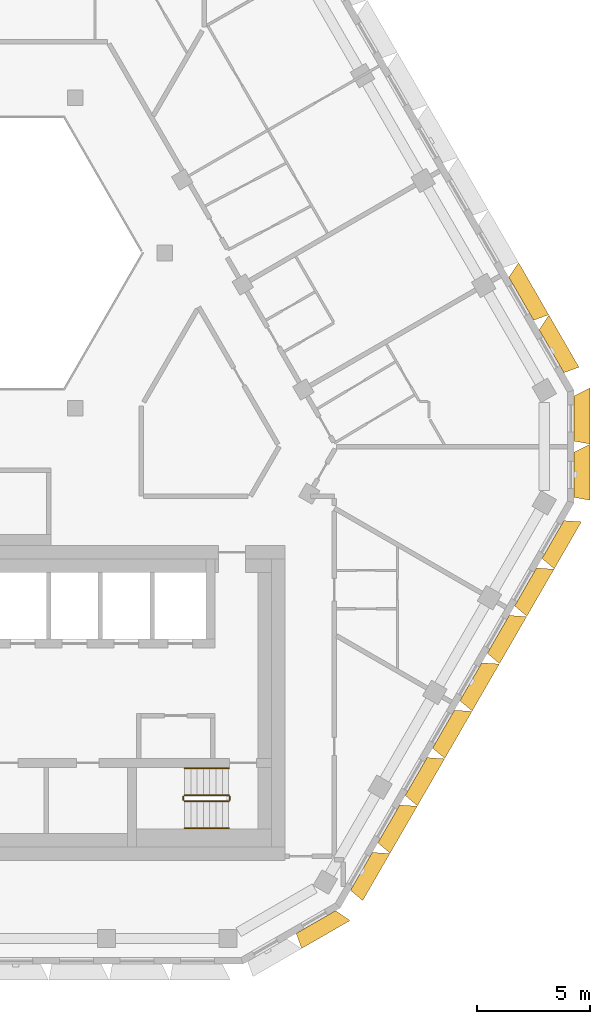
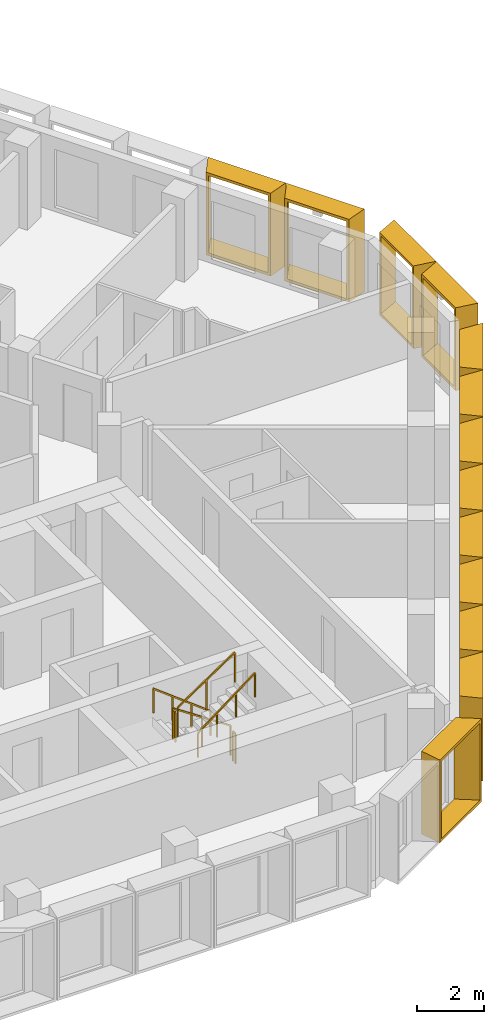
# One storey, part 17 of 18: 13 shading devices, 6 railings.
"""IFC4 building model written with IfcOpenShell, lengths in metres."""

from ifc_helpers import new_model, entity, si_unit, direction, frame, origin, origin_2d, place, context, subcontext, project, spatial, rectangle, extrude, source, transform, mapped, material, type_object, type_shapes, element, save


model = new_model("IFC4")

# Units and contexts
model_context = context("Model", 3, precision=1e-05, world=origin(), true_north=direction((0.0, 1.0)))
body_context = subcontext(model_context, "Body", "Model", "MODEL_VIEW")
ifc_project = project(units=[si_unit("LENGTHUNIT", "METRE"), si_unit("AREAUNIT", "SQUARE_METRE"), si_unit("VOLUMEUNIT", "CUBIC_METRE"), si_unit("PLANEANGLEUNIT", "RADIAN"), si_unit("MASSUNIT", "GRAM", prefix="KILO")], contexts=[model_context])

# Site, building, storey
site_placement = place(None, origin())
site = spatial("IfcSite", under=ifc_project, at=site_placement, CompositionType="ELEMENT")
building_placement = place(site_placement, origin())
building = spatial("IfcBuilding", under=site, at=building_placement, Name="Beryl Residences", CompositionType="ELEMENT")
storey_placement = place(building_placement, frame((0.0, 0.0, 190.199951171875)))
storey = spatial("IfcBuildingStorey", under=building, at=storey_placement, Name="L58", CompositionType="ELEMENT", Elevation=190.199951171875)

# Shading devices
ifc_material_1 = material(Name="Aluminium pale anodised", Category="aluminium")
shading_device_type_1 = type_object("IfcShadingDeviceType", Name="FR243-70C OUTER SKIN frame 700 mm deep, splay 10/26 deg, 2430 x 3000 mm cell", PredefinedType="USERDEFINED", material=ifc_material_1)
cartesian_point_1 = entity("IfcCartesianPoint", [-0.972412109375, 0.0])
cartesian_point_2 = entity("IfcCartesianPoint", [-0.891357421875, 0.10009765625])
cartesian_point_3 = entity("IfcCartesianPoint", [-1.095947265625, 0.0])
cartesian_point_4 = entity("IfcCartesianPoint", [-1.0146484375, 0.10009765625])
shared_shape_1 = source(origin(), body_context, "Body", "SweptSolid", [
    entity("IfcExtrudedAreaSolidTapered", entity("IfcArbitraryProfileDefWithVoids", "AREA", None, entity("IfcPolyline", [cartesian_point_1, entity("IfcCartesianPoint", [0.972412109375, 0.0]), entity("IfcCartesianPoint", [0.972412109375, 3.0]), entity("IfcCartesianPoint", [-0.972412109375, 3.0]), cartesian_point_1]), [entity("IfcPolyline", [cartesian_point_2, entity("IfcCartesianPoint", [0.883544921875, 0.10009765625]), entity("IfcCartesianPoint", [0.883544921875, 2.89990234375]), entity("IfcCartesianPoint", [-0.891357421875, 2.89990234375]), cartesian_point_2])]), entity("IfcAxis2Placement3D", entity("IfcCartesianPoint", [0.0, 0.0, 0.0]), entity("IfcDirection", [0.0, 1.0, 0.0]), entity("IfcDirection", [-1.0, 0.0, 0.0])), entity("IfcDirection", [0.0, 0.0, 1.0]), 0.699951171875, entity("IfcArbitraryProfileDefWithVoids", "AREA", None, entity("IfcPolyline", [cartesian_point_3, entity("IfcCartesianPoint", [1.31396484375, 0.0]), entity("IfcCartesianPoint", [1.31396484375, 3.0]), entity("IfcCartesianPoint", [-1.095947265625, 3.0]), cartesian_point_3]), [entity("IfcPolyline", [cartesian_point_4, entity("IfcCartesianPoint", [1.224853515625, 0.10009765625]), entity("IfcCartesianPoint", [1.224853515625, 2.89990234375]), entity("IfcCartesianPoint", [-1.0146484375, 2.89990234375]), cartesian_point_4])])),
])
type_shapes(shading_device_type_1, [shared_shape_1])
for number, where, z_axis, x_axis, name in (
    (1, (16.700927734375, -19.471923828125, 0.0), (0.0, 0.0, 1.0), (-0.5, -0.866025403784, 0.0), "FR243-70C frame L58 SE 1"),
    (2, (17.9169921875, -17.365966796875, 0.0), (0.0, 0.0, 1.0), (-0.5, -0.866025403784, 0.0), "FR243-70C frame L58 SE 2"),
    (3, (19.133056640625, -15.260009765625, 0.0), (0.0, 0.0, 1.0), (-0.5, -0.866025403784, 0.0), "FR243-70C frame L58 SE 3"),
    (4, (20.34912109375, -13.154052734375, 0.0), (0.0, 0.0, 1.0), (-0.5, -0.866025403784, 0.0), "FR243-70C frame L58 SE 4"),
    (5, (21.56396484375, -11.048095703125, 0.0), (0.0, 0.0, 1.0), (-0.5, -0.866025403784, 0.0), "FR243-70C frame L58 SE 5"),
    (6, (22.780029296875, -8.94189453125, 0.0), (0.0, 0.0, 1.0), (-0.5, -0.866025403784, 0.0), "FR243-70C frame L58 SE 6"),
    (7, (23.99609375, -6.8349609375, 0.0), (0.0, 0.0, 1.0), (-0.5, -0.866025403784, 0.0), "FR243-70C frame L58 SE 7"),
    (8, (25.2119140625, -4.72900390625, 0.0), (0.0, 0.0, 1.0), (-0.5, -0.866025403784, 0.0), "FR243-70C frame L58 SE 8"),
):
    element("IfcShadingDevice", number, at=place(storey_placement, frame(where, z_axis=z_axis, x_axis=x_axis)), inside=storey, type_object=shading_device_type_1, Name=name, ObjectType="OUTER SKIN", PredefinedType="USERDEFINED", context=body_context, shape_type="MappedRepresentation", body=[
        mapped(shared_shape_1, transform((0.0, 0.0, 0.0))),
    ])
ifc_material_2 = material(Name="Aluminium pale anodised", Category="aluminium")
shading_device_type_2 = type_object("IfcShadingDeviceType", Name="FR250-70C OUTER SKIN frame 700 mm deep, splay 10/26 deg, 2500 x 3000 mm cell", PredefinedType="USERDEFINED", material=ifc_material_2)
cartesian_point_5 = entity("IfcCartesianPoint", [-1.007568359375, 0.0])
cartesian_point_6 = entity("IfcCartesianPoint", [-0.92626953125, 0.10009765625])
cartesian_point_7 = entity("IfcCartesianPoint", [-1.130859375, 0.0])
cartesian_point_8 = entity("IfcCartesianPoint", [-1.0498046875, 0.10009765625])
shared_shape_2 = source(origin(), body_context, "Body", "SweptSolid", [
    entity("IfcExtrudedAreaSolidTapered", entity("IfcArbitraryProfileDefWithVoids", "AREA", None, entity("IfcPolyline", [cartesian_point_5, entity("IfcCartesianPoint", [1.007568359375, 0.0]), entity("IfcCartesianPoint", [1.007568359375, 3.0]), entity("IfcCartesianPoint", [-1.007568359375, 3.0]), cartesian_point_5]), [entity("IfcPolyline", [cartesian_point_6, entity("IfcCartesianPoint", [0.91845703125, 0.10009765625]), entity("IfcCartesianPoint", [0.91845703125, 2.89990234375]), entity("IfcCartesianPoint", [-0.92626953125, 2.89990234375]), cartesian_point_6])]), entity("IfcAxis2Placement3D", entity("IfcCartesianPoint", [0.0, 0.0, 0.0]), entity("IfcDirection", [0.0, 1.0, 0.0]), entity("IfcDirection", [-1.0, 0.0, 0.0])), entity("IfcDirection", [0.0, 0.0, 1.0]), 0.699951171875, entity("IfcArbitraryProfileDefWithVoids", "AREA", None, entity("IfcPolyline", [cartesian_point_7, entity("IfcCartesianPoint", [1.348876953125, 0.0]), entity("IfcCartesianPoint", [1.348876953125, 3.0]), entity("IfcCartesianPoint", [-1.130859375, 3.0]), cartesian_point_7]), [entity("IfcPolyline", [cartesian_point_8, entity("IfcCartesianPoint", [1.260009765625, 0.10009765625]), entity("IfcCartesianPoint", [1.260009765625, 2.89990234375]), entity("IfcCartesianPoint", [-1.0498046875, 2.89990234375]), cartesian_point_8])])),
])
type_shapes(shading_device_type_2, [shared_shape_2])
for number, where, z_axis, x_axis, name in (
    (9, (14.677978515625, -21.72509765625, 0.0), (0.0, 0.0, 1.0), (-0.866025403784, -0.5, 0.0), "FR250-70C frame L58 S-SE 2"),
    (10, (26.154052734375, -1.85009765625, 0.0), (0.0, 0.0, 1.0), (0.0, -1.0, 0.0), "FR250-70C frame L58 SE-NE 1"),
    (11, (26.154052734375, 0.64990234375, 0.0), (0.0, 0.0, 1.0), (0.0, -1.0, 0.0), "FR250-70C frame L58 SE-NE 2"),
):
    element("IfcShadingDevice", number, at=place(storey_placement, frame(where, z_axis=z_axis, x_axis=x_axis)), inside=storey, type_object=shading_device_type_2, Name=name, ObjectType="OUTER SKIN", PredefinedType="USERDEFINED", context=body_context, shape_type="MappedRepresentation", body=[
        mapped(shared_shape_2, transform((0.0, 0.0, 0.0))),
    ])
ifc_material_3 = material(Name="Aluminium pale anodised", Category="aluminium")
shading_device_type_3 = type_object("IfcShadingDeviceType", Name="FR269-70C OUTER SKIN frame 700 mm deep, splay 10/26 deg, 2690 x 3000 mm cell", PredefinedType="USERDEFINED", material=ifc_material_3)
cartesian_point_9 = entity("IfcCartesianPoint", [-1.1025390625, 0.0])
cartesian_point_10 = entity("IfcCartesianPoint", [-1.021240234375, 0.10009765625])
cartesian_point_11 = entity("IfcCartesianPoint", [-1.225830078125, 0.0])
cartesian_point_12 = entity("IfcCartesianPoint", [-1.144775390625, 0.10009765625])
shared_shape_3 = source(origin(), body_context, "Body", "SweptSolid", [
    entity("IfcExtrudedAreaSolidTapered", entity("IfcArbitraryProfileDefWithVoids", "AREA", None, entity("IfcPolyline", [cartesian_point_9, entity("IfcCartesianPoint", [1.1025390625, 0.0]), entity("IfcCartesianPoint", [1.1025390625, 3.0]), entity("IfcCartesianPoint", [-1.1025390625, 3.0]), cartesian_point_9]), [entity("IfcPolyline", [cartesian_point_10, entity("IfcCartesianPoint", [1.013427734375, 0.10009765625]), entity("IfcCartesianPoint", [1.013427734375, 2.89990234375]), entity("IfcCartesianPoint", [-1.021240234375, 2.89990234375]), cartesian_point_10])]), entity("IfcAxis2Placement3D", entity("IfcCartesianPoint", [0.0, 0.0, 0.0]), entity("IfcDirection", [0.0, 1.0, 0.0]), entity("IfcDirection", [-1.0, 0.0, 0.0])), entity("IfcDirection", [0.0, 0.0, 1.0]), 0.699951171875, entity("IfcArbitraryProfileDefWithVoids", "AREA", None, entity("IfcPolyline", [cartesian_point_11, entity("IfcCartesianPoint", [1.44384765625, 0.0]), entity("IfcCartesianPoint", [1.44384765625, 3.0]), entity("IfcCartesianPoint", [-1.225830078125, 3.0]), cartesian_point_11]), [entity("IfcPolyline", [cartesian_point_12, entity("IfcCartesianPoint", [1.35498046875, 0.10009765625]), entity("IfcCartesianPoint", [1.35498046875, 2.89990234375]), entity("IfcCartesianPoint", [-1.144775390625, 2.89990234375]), cartesian_point_12])])),
])
type_shapes(shading_device_type_3, [shared_shape_3])
for number, where, z_axis, x_axis, name in (
    (12, (25.14892578125, 3.639892578125, 0.0), (0.0, 0.0, 1.0), (0.5, -0.866025403784, 0.0), "FR269-70C frame L58 NE 1"),
    (13, (23.802978515625, 5.971923828125, 0.0), (0.0, 0.0, 1.0), (0.5, -0.866025403784, 0.0), "FR269-70C frame L58 NE 2"),
):
    element("IfcShadingDevice", number, at=place(storey_placement, frame(where, z_axis=z_axis, x_axis=x_axis)), inside=storey, type_object=shading_device_type_3, Name=name, ObjectType="OUTER SKIN", PredefinedType="USERDEFINED", context=body_context, shape_type="MappedRepresentation", body=[
        mapped(shared_shape_3, transform((0.0, 0.0, 0.0))),
    ])

# Railings
ifc_material_4 = material(Name="Stainless steel balustrade with glass infill", Category="steel")
railing_type_1 = type_object("IfcRailingType", Name="SG1 stair guard 1100 mm", PredefinedType="GUARDRAIL", material=ifc_material_4)
railing_1_placement = place(storey_placement, frame((10.800048828125, -16.10009765625, 0.1875)))
element("IfcRailing", 14, at=railing_1_placement, inside=storey, type_object=railing_type_1, Name="L58 ST-3 stair guard 1", PredefinedType="GUARDRAIL", context=body_context, shape_type="SweptSolid", body=[
    extrude(rectangle(XDim=0.048095703125, YDim=0.048095703125, at=origin_2d()), frame((0.0, 0.0, 1.076171875), z_axis=(-0.830902050051, 0.0, 0.556418712142), x_axis=(0.0, -1.0, 0.0)), (0.0, 0.0, 1.0), 2.35888671875),
    extrude(rectangle(XDim=0.0419921875, YDim=0.0419921875, at=origin_2d()), origin(), (0.0, 0.0, 1.0), 1.052001953125),
    extrude(rectangle(XDim=0.0419921875, YDim=0.0419921875, at=origin_2d()), frame((-0.97998046875, 0.0, 0.65625)), (0.0, 0.0, 1.0), 1.052001953125),
    extrude(rectangle(XDim=0.0419921875, YDim=0.0419921875, at=origin_2d()), frame((-1.9599609375, 0.0, 1.3125)), (0.0, 0.0, 1.0), 1.052001953125),
])
railing_2_placement = place(storey_placement, frame((8.7900390625, -16.14990234375, 1.5)))
element("IfcRailing", 15, at=railing_2_placement, inside=storey, type_object=railing_type_1, Name="L58 ST-3 stair guard 2", PredefinedType="GUARDRAIL", context=body_context, shape_type="SweptSolid", body=[
    extrude(rectangle(XDim=0.048095703125, YDim=0.048095703125, at=origin_2d()), frame((0.0, 0.0, 1.076171875), z_axis=(0.0, -1.0, 0.0), x_axis=(1.0, 0.0, 0.0)), (0.0, 0.0, 1.0), 0.150146484375),
    extrude(rectangle(XDim=0.0419921875, YDim=0.0419921875, at=origin_2d()), origin(), (0.0, 0.0, 1.0), 1.052001953125),
    extrude(rectangle(XDim=0.0419921875, YDim=0.0419921875, at=origin_2d()), frame((0.0, -0.150146484375, 0.0)), (0.0, 0.0, 1.0), 1.052001953125),
])
railing_3_placement = place(storey_placement, frame((8.840087890625, -16.35009765625, 1.6875)))
element("IfcRailing", 16, at=railing_3_placement, inside=storey, type_object=railing_type_1, Name="L58 ST-3 stair guard 3", PredefinedType="GUARDRAIL", context=body_context, shape_type="SweptSolid", body=[
    extrude(rectangle(XDim=0.048095703125, YDim=0.048095703125, at=origin_2d()), frame((0.0, 0.0, 1.076171875), z_axis=(0.830902050051, 0.0, 0.556418712142), x_axis=(0.0, 1.0, 0.0)), (0.0, 0.0, 1.0), 2.35888671875),
    extrude(rectangle(XDim=0.0419921875, YDim=0.0419921875, at=origin_2d()), origin(), (0.0, 0.0, 1.0), 1.052001953125),
    extrude(rectangle(XDim=0.0419921875, YDim=0.0419921875, at=origin_2d()), frame((0.97998046875, 0.0, 0.65625)), (0.0, 0.0, 1.0), 1.052001953125),
    extrude(rectangle(XDim=0.0419921875, YDim=0.0419921875, at=origin_2d()), frame((1.9599609375, 0.0, 1.3125)), (0.0, 0.0, 1.0), 1.052001953125),
])
railing_4_placement = place(storey_placement, frame((10.85009765625, -16.14990234375, 0.0)))
element("IfcRailing", 17, at=railing_4_placement, inside=storey, type_object=railing_type_1, Name="L58 ST-3 stair guard 4", PredefinedType="GUARDRAIL", context=body_context, shape_type="SweptSolid", body=[
    extrude(rectangle(XDim=0.048095703125, YDim=0.048095703125, at=origin_2d()), frame((0.0, 0.0, 1.076171875), z_axis=(0.0, -1.0, 0.0), x_axis=(1.0, 0.0, 0.0)), (0.0, 0.0, 1.0), 0.150146484375),
    extrude(rectangle(XDim=0.0419921875, YDim=0.0419921875, at=origin_2d()), origin(), (0.0, 0.0, 1.0), 1.052001953125),
    extrude(rectangle(XDim=0.0419921875, YDim=0.0419921875, at=origin_2d()), frame((0.0, -0.150146484375, 0.0)), (0.0, 0.0, 1.0), 1.052001953125),
])
ifc_material_5 = material(Name="Stainless steel handrail", Category="steel")
railing_type_2 = type_object("IfcRailingType", Name="SRL1 stair handrail 900 mm", PredefinedType="HANDRAIL", material=ifc_material_5)
railing_5_placement = place(storey_placement, frame((10.800048828125, -14.89990234375, 0.1875)))
element("IfcRailing", 18, at=railing_5_placement, inside=storey, type_object=railing_type_2, Name="L58 ST-3 stair handrail 1", PredefinedType="HANDRAIL", context=body_context, shape_type="SweptSolid", body=[
    extrude(rectangle(XDim=0.048095703125, YDim=0.048095703125, at=origin_2d()), frame((0.0, 0.0, 0.8759765625), z_axis=(-0.794121922505, 0.0, 0.607758481798), x_axis=(0.0, -1.0, 0.0)), (0.0, 0.0, 1.0), 2.468017578125),
    extrude(rectangle(XDim=0.0419921875, YDim=0.0419921875, at=origin_2d()), origin(), (0.0, 0.0, 1.0), 0.851806640625),
    extrude(rectangle(XDim=0.0419921875, YDim=0.0419921875, at=origin_2d()), frame((-0.6533203125, 0.0, 0.5)), (0.0, 0.0, 1.0), 0.851806640625),
    extrude(rectangle(XDim=0.0419921875, YDim=0.0419921875, at=origin_2d()), frame((-1.306640625, 0.0, 1.0)), (0.0, 0.0, 1.0), 0.851806640625),
    extrude(rectangle(XDim=0.0419921875, YDim=0.0419921875, at=origin_2d()), frame((-1.9599609375, 0.0, 1.5)), (0.0, 0.0, 1.0), 0.851806640625),
])
railing_6_placement = place(storey_placement, frame((8.840087890625, -17.550048828125, 1.6875)))
element("IfcRailing", 19, at=railing_6_placement, inside=storey, type_object=railing_type_2, Name="L58 ST-3 stair handrail 2", PredefinedType="HANDRAIL", context=body_context, shape_type="SweptSolid", body=[
    extrude(rectangle(XDim=0.048095703125, YDim=0.048095703125, at=origin_2d()), frame((0.0, 0.0, 0.8759765625), z_axis=(0.794121922505, 0.0, 0.607758481798), x_axis=(0.0, 1.0, 0.0)), (0.0, 0.0, 1.0), 2.468017578125),
    extrude(rectangle(XDim=0.0419921875, YDim=0.0419921875, at=origin_2d()), origin(), (0.0, 0.0, 1.0), 0.851806640625),
    extrude(rectangle(XDim=0.0419921875, YDim=0.0419921875, at=origin_2d()), frame((0.6533203125, 0.0, 0.5)), (0.0, 0.0, 1.0), 0.851806640625),
    extrude(rectangle(XDim=0.0419921875, YDim=0.0419921875, at=origin_2d()), frame((1.306640625, 0.0, 1.0)), (0.0, 0.0, 1.0), 0.851806640625),
    extrude(rectangle(XDim=0.0419921875, YDim=0.0419921875, at=origin_2d()), frame((1.9599609375, 0.0, 1.5)), (0.0, 0.0, 1.0), 0.851806640625),
])

save(model, "model.ifc")
